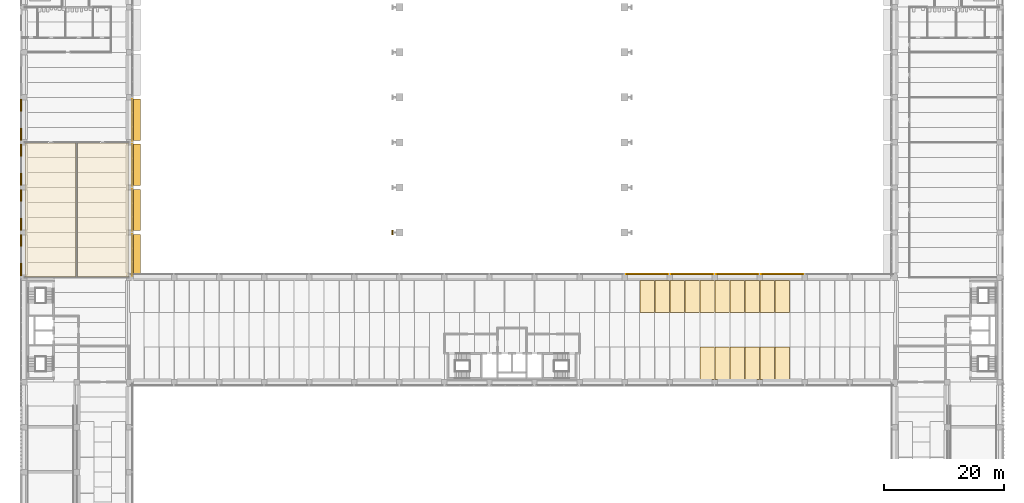
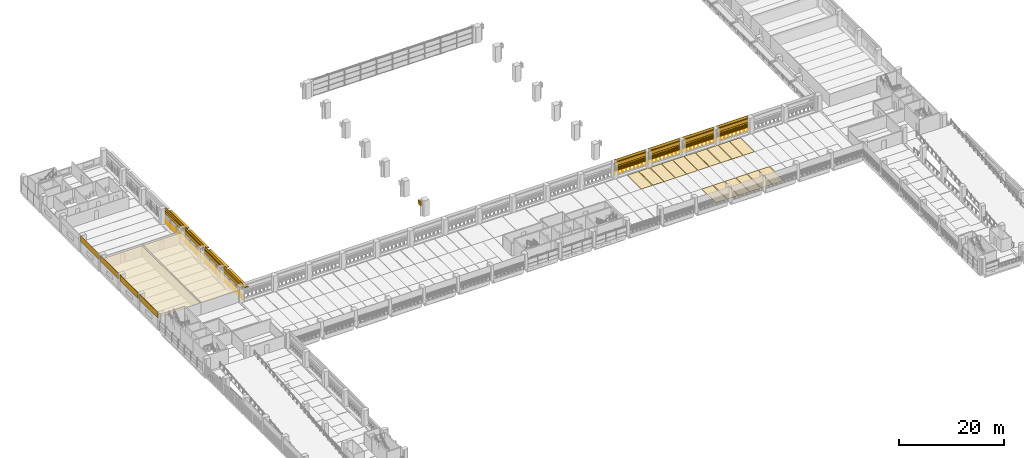
# One storey, part 43 of 57: 31 coverings, 24 shading devices, 8 railings.
"""IFC4 building model written with IfcOpenShell, lengths in metres."""

import ifcopenshell
import ifcopenshell.guid

model = None  # the IFC model being written
_history = None  # IfcOwnerHistory: only IFC2X3 demands one
_inside = {}  # id of a spatial element -> (the spatial element, [elements in it])
_under = {}  # id of a project, library or spatial element -> (it, [spatial elements below it])
_declared = {}  # id of a project -> (the project, [libraries it declares])
_typed = {}  # id of a type object -> (the type object, [elements of that type])
_made_of = {}  # id of a material, layer set ... -> (it, [elements and type objects made of it])


def new_model(schema):
    """Start an empty IFC model of exactly this schema.

    Asked for "IFC4X3", IfcOpenShell would pick the latest addendum, in which some entities
    have other attributes; the version numbers below select the first issue.
    IFC2X3 requires an IfcOwnerHistory on every rooted entity: one is made here for all.
    """
    global model, _history
    if schema == "IFC4X3":
        model = ifcopenshell.file(schema_version=(4, 3, 0, 0))
    else:
        model = ifcopenshell.file(schema=schema)
    _inside.clear()
    _under.clear()
    _declared.clear()
    _typed.clear()
    _made_of.clear()
    _history = None
    if model.schema == "IFC2X3":
        org = make("IfcOrganization", Name="unknown")
        user = make(
            "IfcPersonAndOrganization",
            ThePerson=make("IfcPerson", FamilyName="unknown"),
            TheOrganization=org,
        )
        app = make(
            "IfcApplication",
            ApplicationDeveloper=org,
            Version="unknown",
            ApplicationFullName="unknown",
            ApplicationIdentifier="unknown",
        )
        _history = make(
            "IfcOwnerHistory",
            OwningUser=user,
            OwningApplication=app,
            ChangeAction="ADDED",
            CreationDate=0,
        )
    return model


def make(cls, **values):
    """One entity of the class cls with the attributes given. An attribute that is None is left unset."""
    return model.create_entity(
        cls, **{name: value for name, value in values.items() if value is not None}
    )


def rooted(cls, **values):
    """An entity with a GlobalId (a new one), such as an element, a storey or a relation."""
    return make(cls, GlobalId=ifcopenshell.guid.new(), OwnerHistory=_history, **values)


def si_unit(unit_type, name, prefix=None):
    """IfcSIUnit, for example si_unit("LENGTHUNIT", "METRE", prefix="MILLI")."""
    return make("IfcSIUnit", UnitType=unit_type, Prefix=prefix, Name=name)


def assignment(units):
    """IfcUnitAssignment: the units of a project."""
    return None if units is None else make("IfcUnitAssignment", Units=units)


def point(xyz):
    """IfcCartesianPoint."""
    return None if xyz is None else make("IfcCartesianPoint", Coordinates=xyz)


def direction(xyz):
    """IfcDirection."""
    return None if xyz is None else make("IfcDirection", DirectionRatios=xyz)


def frame(location, z_axis=None, x_axis=None):
    """IfcAxis2Placement3D, a coordinate frame: its origin and axes. An axis left out is left unset."""
    return make(
        "IfcAxis2Placement3D",
        Location=point(location),
        Axis=direction(z_axis),
        RefDirection=direction(x_axis),
    )


def frame_2d(location, x_axis=None):
    """IfcAxis2Placement2D, a coordinate frame in the plane: its origin and x axis."""
    return make(
        "IfcAxis2Placement2D", Location=point(location), RefDirection=direction(x_axis)
    )


def origin():
    """The frame at (0, 0, 0) with its axes left unset."""
    return frame((0.0, 0.0, 0.0))


def origin_2d():
    """The frame at (0, 0) in the plane with its x axis left unset."""
    return frame_2d((0.0, 0.0))


def place(relative_to, where):
    """IfcLocalPlacement: puts the frame where relative to a parent placement (None: the world)."""
    return make(
        "IfcLocalPlacement", PlacementRelTo=relative_to, RelativePlacement=where
    )


def context(
    kind, dimensions, precision=None, world=None, true_north=None, identifier=None
):
    """IfcGeometricRepresentationContext, for example the 3D "Model" context."""
    return make(
        "IfcGeometricRepresentationContext",
        ContextIdentifier=identifier,
        ContextType=kind,
        CoordinateSpaceDimension=dimensions,
        Precision=precision,
        WorldCoordinateSystem=world,
        TrueNorth=true_north,
    )


def subcontext(parent, identifier, kind, view, scale=None):
    """IfcGeometricRepresentationSubContext, for example "Body" below "Model"."""
    return make(
        "IfcGeometricRepresentationSubContext",
        ContextIdentifier=identifier,
        ContextType=kind,
        ParentContext=parent,
        TargetScale=scale,
        TargetView=view,
    )


def project(units=None, contexts=None):
    """IfcProject with its units and contexts."""
    return rooted(
        "IfcProject",
        Name="project",
        RepresentationContexts=contexts,
        UnitsInContext=assignment(units),
    )


def spatial(cls, under=None, at=None, **own):
    """A site, building, storey or space (cls), placed at a placement, below another one or the project."""
    s = rooted(cls, ObjectPlacement=at, **own)
    if under is not None:
        _under.setdefault(under.id(), (under, []))[1].append(s)
    return s


def polyline(points):
    """IfcPolyline through the points."""
    return make("IfcPolyline", Points=[point(p) for p in points])


def profile(cls, at=None, kind="AREA", **sizes):
    """A parametric profile (cls). Its sizes go by their IFC names, for example OverallWidth=200.0."""
    return make(cls, ProfileType=kind, Position=at, **sizes)


def circle(**sizes):
    """IfcCircleProfileDef."""
    return profile("IfcCircleProfileDef", **sizes)


def outline(outer, holes=None, kind="AREA"):
    """IfcArbitraryClosedProfileDef: a profile drawn as a closed curve; with holes, ...WithVoids."""
    if holes is None:
        return make("IfcArbitraryClosedProfileDef", ProfileType=kind, OuterCurve=outer)
    return make(
        "IfcArbitraryProfileDefWithVoids",
        ProfileType=kind,
        OuterCurve=outer,
        InnerCurves=holes,
    )


def extrude(swept, where, along, depth):
    """IfcExtrudedAreaSolid: the profile swept, set in the frame where, extruded along a direction by depth."""
    return make(
        "IfcExtrudedAreaSolid",
        SweptArea=swept,
        Position=where,
        ExtrudedDirection=direction(along),
        Depth=depth,
    )


def shape(context_of_items, identifier, shape_type, items):
    """IfcShapeRepresentation: the items that make up one representation, for example the "Body"."""
    return make(
        "IfcShapeRepresentation",
        ContextOfItems=context_of_items,
        RepresentationIdentifier=identifier,
        RepresentationType=shape_type,
        Items=items,
    )


def material(Name=None, Category=None):
    """IfcMaterial."""
    return make("IfcMaterial", Name=Name, Category=Category)


def layer(
    of_material, thickness, ventilated=None, Name=None, Category=None, Priority=None
):
    """IfcMaterialLayer: one layer of a wall or slab, of a material (None: an air gap)."""
    return make(
        "IfcMaterialLayer",
        Material=of_material,
        LayerThickness=thickness,
        IsVentilated=ventilated,
        Name=Name,
        Category=Category,
        Priority=Priority,
    )


def layer_set(layers, Name=None):
    """IfcMaterialLayerSet."""
    return make("IfcMaterialLayerSet", MaterialLayers=layers, LayerSetName=Name)


def made_of(thing, what):
    """Note that an element or type object is made of a material, layer set ...; save() writes the relation."""
    if what is not None:
        _made_of.setdefault(what.id(), (what, []))[1].append(thing)
    return thing


def type_object(cls, material=None, **own):
    """A type object (cls), such as IfcWallType, which elements share."""
    return made_of(rooted(cls, **own), material)


def element(
    cls,
    number,
    at=None,
    inside=None,
    cuts=None,
    type_object=None,
    material=None,
    context=None,
    identifier="Body",
    shape_type=None,
    held_by="IfcProductDefinitionShape",
    body=None,
    shapes=None,
    **own,
):
    """One element of the class cls, such as IfcWall. Its Tag is "e" and its number.

    at: its placement. inside: the storey or other place that contains it. cuts: it is an
    opening in that element (IfcRelVoidsElement). A single representation is given by context,
    identifier, shape_type and body (its items); several are given by shapes. held_by: the class
    of the entity that holds the representations. save() writes the other relations.
    """
    e = rooted(cls, Tag="e%d" % number, ObjectPlacement=at, **own)
    if body is not None:
        shapes = [shape(context, identifier, shape_type, body)]
    if shapes is not None:
        e.Representation = make(held_by, Representations=shapes)
    if inside is not None:
        _inside.setdefault(inside.id(), (inside, []))[1].append(e)
    if cuts is not None:
        rooted(
            "IfcRelVoidsElement", RelatingBuildingElement=cuts, RelatedOpeningElement=e
        )
    if type_object is not None:
        _typed.setdefault(type_object.id(), (type_object, []))[1].append(e)
    return made_of(e, material)


def aggregate(whole, parts):
    """IfcRelAggregates: a whole, such as a stair, and the parts it consists of."""
    return rooted("IfcRelAggregates", RelatingObject=whole, RelatedObjects=parts)


def save(model, path):
    """Write the relations noted so far, then the file.

    IfcRelAggregates (storeys below a building ...), IfcRelContainedInSpatialStructure (elements
    in a storey), IfcRelDefinesByType, IfcRelAssociatesMaterial and IfcRelDeclares: one each for
    every whole, place, type object, material and project.
    """
    for whole, parts in _under.values():
        aggregate(whole, parts)
    for where, things in _inside.values():
        rooted(
            "IfcRelContainedInSpatialStructure",
            RelatedElements=things,
            RelatingStructure=where,
        )
    for kind, things in _typed.values():
        rooted("IfcRelDefinesByType", RelatedObjects=things, RelatingType=kind)
    for what, things in _made_of.values():
        rooted("IfcRelAssociatesMaterial", RelatedObjects=things, RelatingMaterial=what)
    for by, libraries in _declared.values():
        rooted("IfcRelDeclares", RelatingContext=by, RelatedDefinitions=libraries)
    model.write(path)


model = new_model("IFC4")

# Units and contexts
model_context = context("Model", 3, precision=1e-05, world=origin(), true_north=direction((0.0, 1.0)))
body_context = subcontext(model_context, "Body", "Model", "MODEL_VIEW")
ifc_project = project(units=[si_unit("LENGTHUNIT", "METRE"), si_unit("AREAUNIT", "SQUARE_METRE"), si_unit("VOLUMEUNIT", "CUBIC_METRE"), si_unit("PLANEANGLEUNIT", "RADIAN"), si_unit("MASSUNIT", "GRAM", prefix="KILO")], contexts=[model_context])

# Site, building, storey
site_placement = place(None, origin())
site = spatial("IfcSite", under=ifc_project, at=site_placement, CompositionType="ELEMENT")
building_placement = place(site_placement, origin())
building = spatial("IfcBuilding", under=site, at=building_placement, Name="Cour d'Honneur Mobility Palace", CompositionType="ELEMENT")
storey_placement = place(building_placement, frame((0.0, 0.0, 8.199951171875)))
storey = spatial("IfcBuildingStorey", under=building, at=storey_placement, Name="L02", CompositionType="ELEMENT", Elevation=8.199951171875)

# Railings
ifc_material_1 = material(Name="Painted steel", Category="steel")
railing_type = type_object("IfcRailingType", Name="Balustrade", PredefinedType="BALUSTRADE", material=ifc_material_1)
for number, where, name in (
    (1, (129.60009765625, 62.949951171875, 0.300048828125), "Balustrade BAL-107"),
    (2, (122.10009765625, 62.949951171875, 0.300048828125), "Balustrade BAL-108"),
    (3, (114.60009765625, 62.949951171875, 0.300048828125), "Balustrade BAL-109"),
    (4, (107.10009765625, 62.949951171875, 0.300048828125), "Balustrade BAL-110"),
):
    element("IfcRailing", number, at=place(storey_placement, frame(where)), inside=storey, type_object=railing_type, Name=name, PredefinedType="BALUSTRADE", context=body_context, shape_type="SweptSolid", body=[
        extrude(circle(Radius=0.02392578125, at=origin_2d()), frame((0.0, 0.0, 0.77587890625), z_axis=(-1.0, 0.0, 0.0), x_axis=(0.0, -1.0, 0.0)), (0.0, 0.0, 1.0), 6.900146484375),
        extrude(circle(Radius=0.02099609375, at=origin_2d()), origin(), (0.0, 0.0, 1.0), 0.751953125),
        extrude(circle(Radius=0.02099609375, at=origin_2d()), frame((-0.862548828125, 0.0, 0.0)), (0.0, 0.0, 1.0), 0.751953125),
        extrude(circle(Radius=0.02099609375, at=origin_2d()), frame((-1.72509765625, 0.0, 0.0)), (0.0, 0.0, 1.0), 0.751953125),
        extrude(circle(Radius=0.02099609375, at=origin_2d()), frame((-2.587646484375, 0.0, 0.0)), (0.0, 0.0, 1.0), 0.751953125),
        extrude(circle(Radius=0.02099609375, at=origin_2d()), frame((-3.4501953125, 0.0, 0.0)), (0.0, 0.0, 1.0), 0.751953125),
        extrude(circle(Radius=0.02099609375, at=origin_2d()), frame((-4.3125, 0.0, 0.0)), (0.0, 0.0, 1.0), 0.751953125),
        extrude(circle(Radius=0.02099609375, at=origin_2d()), frame((-5.175048828125, 0.0, 0.0)), (0.0, 0.0, 1.0), 0.751953125),
        extrude(circle(Radius=0.02099609375, at=origin_2d()), frame((-6.03759765625, 0.0, 0.0)), (0.0, 0.0, 1.0), 0.751953125),
        extrude(circle(Radius=0.02099609375, at=origin_2d()), frame((-6.900146484375, 0.0, 0.0)), (0.0, 0.0, 1.0), 0.751953125),
    ])
for number, where, name in (
    (5, (17.949951171875, 62.699951171875, 0.300048828125), "Balustrade BAL-122"),
    (6, (17.949951171875, 70.199951171875, 0.300048828125), "Balustrade BAL-123"),
    (7, (17.949951171875, 77.699951171875, 0.300048828125), "Balustrade BAL-124"),
    (8, (17.949951171875, 85.199951171875, 0.300048828125), "Balustrade BAL-125"),
):
    element("IfcRailing", number, at=place(storey_placement, frame(where)), inside=storey, type_object=railing_type, Name=name, PredefinedType="BALUSTRADE", context=body_context, shape_type="SweptSolid", body=[
        extrude(circle(Radius=0.02392578125, at=origin_2d()), frame((0.0, 0.0, 0.77587890625), z_axis=(0.0, 1.0, 0.0), x_axis=(-1.0, 0.0, 0.0)), (0.0, 0.0, 1.0), 6.900146484375),
        extrude(circle(Radius=0.02099609375, at=origin_2d()), origin(), (0.0, 0.0, 1.0), 0.751953125),
        extrude(circle(Radius=0.02099609375, at=origin_2d()), frame((0.0, 0.862548828125, 0.0)), (0.0, 0.0, 1.0), 0.751953125),
        extrude(circle(Radius=0.02099609375, at=origin_2d()), frame((0.0, 1.72509765625, 0.0)), (0.0, 0.0, 1.0), 0.751953125),
        extrude(circle(Radius=0.02099609375, at=origin_2d()), frame((0.0, 2.587646484375, 0.0)), (0.0, 0.0, 1.0), 0.751953125),
        extrude(circle(Radius=0.02099609375, at=origin_2d()), frame((0.0, 3.4501953125, 0.0)), (0.0, 0.0, 1.0), 0.751953125),
        extrude(circle(Radius=0.02099609375, at=origin_2d()), frame((0.0, 4.3125, 0.0)), (0.0, 0.0, 1.0), 0.751953125),
        extrude(circle(Radius=0.02099609375, at=origin_2d()), frame((0.0, 5.175048828125, 0.0)), (0.0, 0.0, 1.0), 0.751953125),
        extrude(circle(Radius=0.02099609375, at=origin_2d()), frame((0.0, 6.03759765625, 0.0)), (0.0, 0.0, 1.0), 0.751953125),
        extrude(circle(Radius=0.02099609375, at=origin_2d()), frame((0.0, 6.900146484375, 0.0)), (0.0, 0.0, 1.0), 0.751953125),
    ])

# Coverings
ifc_material_2 = material(Name="Parking marking paint")
ifc_layer_1 = layer(ifc_material_2, 0.0048828125)
ifc_layer_set_1 = layer_set([ifc_layer_1], Name="Parking marking paint")
covering_type_1 = type_object("IfcCoveringType", Name="Parking bay marking", PredefinedType="FLOORING", material=ifc_layer_set_1)
covering_1_placement = place(storey_placement, origin())
element("IfcCovering", 9, at=covering_1_placement, inside=storey, type_object=covering_type_1, Name="Parking bay marking L02 17", PredefinedType="FLOORING", context=body_context, shape_type="SweptSolid", body=[
    extrude(outline(polyline([(104.85009765625, 56.550048828125), (102.449951171875, 56.550048828125), (102.449951171875, 61.949951171875), (104.85009765625, 61.949951171875), (104.85009765625, 56.550048828125)])), origin(), (0.0, 0.0, 1.0), 0.005126953125),
])
covering_2_placement = place(storey_placement, origin())
element("IfcCovering", 10, at=covering_2_placement, inside=storey, type_object=covering_type_1, Name="Parking bay marking L02 18", PredefinedType="FLOORING", context=body_context, shape_type="SweptSolid", body=[
    extrude(outline(polyline([(107.35009765625, 56.550048828125), (104.949951171875, 56.550048828125), (104.949951171875, 61.949951171875), (107.35009765625, 61.949951171875), (107.35009765625, 56.550048828125)])), origin(), (0.0, 0.0, 1.0), 0.005126953125),
])
covering_3_placement = place(storey_placement, origin())
element("IfcCovering", 11, at=covering_3_placement, inside=storey, type_object=covering_type_1, Name="Parking bay marking L02 19", PredefinedType="FLOORING", context=body_context, shape_type="SweptSolid", body=[
    extrude(outline(polyline([(109.85009765625, 56.550048828125), (107.449951171875, 56.550048828125), (107.449951171875, 61.949951171875), (109.85009765625, 61.949951171875), (109.85009765625, 56.550048828125)])), origin(), (0.0, 0.0, 1.0), 0.005126953125),
])
covering_4_placement = place(storey_placement, origin())
element("IfcCovering", 12, at=covering_4_placement, inside=storey, type_object=covering_type_1, Name="Parking bay marking L02 20", PredefinedType="FLOORING", context=body_context, shape_type="SweptSolid", body=[
    extrude(outline(polyline([(112.35009765625, 56.550048828125), (109.949951171875, 56.550048828125), (109.949951171875, 61.949951171875), (112.35009765625, 61.949951171875), (112.35009765625, 56.550048828125)])), origin(), (0.0, 0.0, 1.0), 0.005126953125),
])
covering_5_placement = place(storey_placement, origin())
element("IfcCovering", 13, at=covering_5_placement, inside=storey, type_object=covering_type_1, Name="Parking bay marking L02 21", PredefinedType="FLOORING", context=body_context, shape_type="SweptSolid", body=[
    extrude(outline(polyline([(114.85009765625, 56.550048828125), (112.449951171875, 56.550048828125), (112.449951171875, 61.949951171875), (114.85009765625, 61.949951171875), (114.85009765625, 56.550048828125)])), origin(), (0.0, 0.0, 1.0), 0.005126953125),
])
covering_6_placement = place(storey_placement, origin())
element("IfcCovering", 14, at=covering_6_placement, inside=storey, type_object=covering_type_1, Name="Parking bay marking L02 23", PredefinedType="FLOORING", context=body_context, shape_type="SweptSolid", body=[
    extrude(outline(polyline([(117.35009765625, 56.550048828125), (114.949951171875, 56.550048828125), (114.949951171875, 61.949951171875), (117.35009765625, 61.949951171875), (117.35009765625, 56.550048828125)])), origin(), (0.0, 0.0, 1.0), 0.005126953125),
])
covering_7_placement = place(storey_placement, origin())
element("IfcCovering", 15, at=covering_7_placement, inside=storey, type_object=covering_type_1, Name="Parking bay marking L02 24", PredefinedType="FLOORING", context=body_context, shape_type="SweptSolid", body=[
    extrude(outline(polyline([(119.85009765625, 56.550048828125), (117.449951171875, 56.550048828125), (117.449951171875, 61.949951171875), (119.85009765625, 61.949951171875), (119.85009765625, 56.550048828125)])), origin(), (0.0, 0.0, 1.0), 0.005126953125),
])
covering_8_placement = place(storey_placement, origin())
element("IfcCovering", 16, at=covering_8_placement, inside=storey, type_object=covering_type_1, Name="Parking bay marking L02 25", PredefinedType="FLOORING", context=body_context, shape_type="SweptSolid", body=[
    extrude(outline(polyline([(122.35009765625, 56.550048828125), (119.949951171875, 56.550048828125), (119.949951171875, 61.949951171875), (122.35009765625, 61.949951171875), (122.35009765625, 56.550048828125)])), origin(), (0.0, 0.0, 1.0), 0.005126953125),
])
covering_9_placement = place(storey_placement, origin())
element("IfcCovering", 17, at=covering_9_placement, inside=storey, type_object=covering_type_1, Name="Parking bay marking L02 26", PredefinedType="FLOORING", context=body_context, shape_type="SweptSolid", body=[
    extrude(outline(polyline([(124.85009765625, 56.550048828125), (122.449951171875, 56.550048828125), (122.449951171875, 61.949951171875), (124.85009765625, 61.949951171875), (124.85009765625, 56.550048828125)])), origin(), (0.0, 0.0, 1.0), 0.005126953125),
])
covering_10_placement = place(storey_placement, origin())
element("IfcCovering", 18, at=covering_10_placement, inside=storey, type_object=covering_type_1, Name="Parking bay marking L02 27", PredefinedType="FLOORING", context=body_context, shape_type="SweptSolid", body=[
    extrude(outline(polyline([(127.35009765625, 56.550048828125), (124.949951171875, 56.550048828125), (124.949951171875, 61.949951171875), (127.35009765625, 61.949951171875), (127.35009765625, 56.550048828125)])), origin(), (0.0, 0.0, 1.0), 0.005126953125),
])
covering_11_placement = place(storey_placement, origin())
element("IfcCovering", 19, at=covering_11_placement, inside=storey, type_object=covering_type_1, Name="Parking bay marking L02 60", PredefinedType="FLOORING", context=body_context, shape_type="SweptSolid", body=[
    extrude(outline(polyline([(114.85009765625, 45.449951171875), (112.449951171875, 45.449951171875), (112.449951171875, 50.85009765625), (114.85009765625, 50.85009765625), (114.85009765625, 45.449951171875)])), origin(), (0.0, 0.0, 1.0), 0.005126953125),
])
covering_12_placement = place(storey_placement, origin())
element("IfcCovering", 20, at=covering_12_placement, inside=storey, type_object=covering_type_1, Name="Parking bay marking L02 62", PredefinedType="FLOORING", context=body_context, shape_type="SweptSolid", body=[
    extrude(outline(polyline([(117.35009765625, 45.449951171875), (114.949951171875, 45.449951171875), (114.949951171875, 50.85009765625), (117.35009765625, 50.85009765625), (117.35009765625, 45.449951171875)])), origin(), (0.0, 0.0, 1.0), 0.005126953125),
])
covering_13_placement = place(storey_placement, origin())
element("IfcCovering", 21, at=covering_13_placement, inside=storey, type_object=covering_type_1, Name="Parking bay marking L02 63", PredefinedType="FLOORING", context=body_context, shape_type="SweptSolid", body=[
    extrude(outline(polyline([(119.85009765625, 45.449951171875), (117.449951171875, 45.449951171875), (117.449951171875, 50.85009765625), (119.85009765625, 50.85009765625), (119.85009765625, 45.449951171875)])), origin(), (0.0, 0.0, 1.0), 0.005126953125),
])
covering_14_placement = place(storey_placement, origin())
element("IfcCovering", 22, at=covering_14_placement, inside=storey, type_object=covering_type_1, Name="Parking bay marking L02 64", PredefinedType="FLOORING", context=body_context, shape_type="SweptSolid", body=[
    extrude(outline(polyline([(122.35009765625, 45.449951171875), (119.949951171875, 45.449951171875), (119.949951171875, 50.85009765625), (122.35009765625, 50.85009765625), (122.35009765625, 45.449951171875)])), origin(), (0.0, 0.0, 1.0), 0.005126953125),
])
covering_15_placement = place(storey_placement, origin())
element("IfcCovering", 23, at=covering_15_placement, inside=storey, type_object=covering_type_1, Name="Parking bay marking L02 65", PredefinedType="FLOORING", context=body_context, shape_type="SweptSolid", body=[
    extrude(outline(polyline([(124.85009765625, 45.449951171875), (122.449951171875, 45.449951171875), (122.449951171875, 50.85009765625), (124.85009765625, 50.85009765625), (124.85009765625, 45.449951171875)])), origin(), (0.0, 0.0, 1.0), 0.005126953125),
])
covering_16_placement = place(storey_placement, origin())
element("IfcCovering", 24, at=covering_16_placement, inside=storey, type_object=covering_type_1, Name="Parking bay marking L02 66", PredefinedType="FLOORING", context=body_context, shape_type="SweptSolid", body=[
    extrude(outline(polyline([(127.35009765625, 45.449951171875), (124.949951171875, 45.449951171875), (124.949951171875, 50.85009765625), (127.35009765625, 50.85009765625), (127.35009765625, 45.449951171875)])), origin(), (0.0, 0.0, 1.0), 0.005126953125),
])
ifc_material_3 = material(Name="Cast limestone", Category="masonry")
ifc_layer_2 = layer(ifc_material_3, 0.1201171875)
ifc_layer_set_2 = layer_set([ifc_layer_2], Name="Cast limestone")
covering_type_2 = type_object("IfcCoveringType", Name="Pilaster capital", PredefinedType="CLADDING", material=ifc_layer_set_2)
covering_17_placement = place(storey_placement, frame((0.0, 0.0, 2.699951171875)))
element("IfcCovering", 25, at=covering_17_placement, inside=storey, type_object=covering_type_2, Name="Hall pilaster capital HP-W2", PredefinedType="CLADDING", context=body_context, shape_type="SweptSolid", body=[
    extrude(outline(polyline([(61.10009765625, 69.5), (61.35009765625, 69.5), (61.35009765625, 70.300048828125), (61.10009765625, 70.300048828125), (61.10009765625, 69.5)])), origin(), (0.0, 0.0, 1.0), 1.0),
])
ifc_material_4 = material(Name="Cast limestone", Category="masonry")
ifc_layer_3 = layer(ifc_material_4, 0.25)
ifc_layer_set_3 = layer_set([ifc_layer_3], Name="Cast limestone")
covering_type_3 = type_object("IfcCoveringType", Name="Spandrel cladding", PredefinedType="CLADDING", material=ifc_layer_set_3)
for number, where, z_axis, x_axis, name in (
    (26, (129.60009765625, 62.85009765625, 2.300048828125), (1.0, 0.0, 0.0), (0.0, 1.0, 0.0), "Spandrel cladding SK-178"),
    (27, (122.10009765625, 62.85009765625, 2.300048828125), (1.0, 0.0, 0.0), (0.0, 1.0, 0.0), "Spandrel cladding SK-179"),
    (28, (114.60009765625, 62.85009765625, 2.300048828125), (1.0, 0.0, 0.0), (0.0, 1.0, 0.0), "Spandrel cladding SK-180"),
    (29, (107.10009765625, 62.85009765625, 2.300048828125), (1.0, 0.0, 0.0), (0.0, 1.0, 0.0), "Spandrel cladding SK-181"),
    (30, (17.85009765625, 62.699951171875, 2.300048828125), (0.0, -1.0, 0.0), (1.0, 0.0, 0.0), "Spandrel cladding SK-193"),
    (31, (17.85009765625, 70.199951171875, 2.300048828125), (0.0, -1.0, 0.0), (1.0, 0.0, 0.0), "Spandrel cladding SK-194"),
    (32, (17.85009765625, 77.699951171875, 2.300048828125), (0.0, -1.0, 0.0), (1.0, 0.0, 0.0), "Spandrel cladding SK-195"),
    (33, (17.85009765625, 85.199951171875, 2.300048828125), (0.0, -1.0, 0.0), (1.0, 0.0, 0.0), "Spandrel cladding SK-196"),
    (34, (-0.449951171875, 92.10009765625, 2.300048828125), (0.0, 1.0, 0.0), (-1.0, 0.0, 0.0), "Spandrel cladding SK-201"),
    (35, (-0.449951171875, 84.60009765625, 2.300048828125), (0.0, 1.0, 0.0), (-1.0, 0.0, 0.0), "Spandrel cladding SK-202"),
    (36, (-0.449951171875, 77.10009765625, 2.300048828125), (0.0, 1.0, 0.0), (-1.0, 0.0, 0.0), "Spandrel cladding SK-203"),
    (37, (-0.449951171875, 69.60009765625, 2.300048828125), (0.0, 1.0, 0.0), (-1.0, 0.0, 0.0), "Spandrel cladding SK-204"),
):
    element("IfcCovering", number, at=place(storey_placement, frame(where, z_axis=z_axis, x_axis=x_axis)), inside=storey, type_object=covering_type_3, Name=name, PredefinedType="CLADDING", context=body_context, shape_type="SweptSolid", body=[
        extrude(outline(polyline([(0.0, 0.0), (0.25, 0.0), (0.25, 1.39990234375), (0.199951171875, 1.39990234375), (0.199951171875, 0.800048828125), (0.0, 0.800048828125), (0.0, 0.0)])), origin(), (0.0, 0.0, -1.0), 6.89990234375),
    ])

# Shading devices
ifc_material_5 = material(Name="Anodised aluminium", Category="aluminium")
ifc_layer_4 = layer(ifc_material_5, 0.1201171875)
ifc_layer_set_4 = layer_set([ifc_layer_4], Name="Anodised aluminium")
shading_device_type_1 = type_object("IfcShadingDeviceType", Name="Sunshade 1200", PredefinedType="AWNING", material=ifc_layer_set_4)
shading_device_1_placement = place(storey_placement, frame((0.0, 0.0, 2.630126953125)))
element("IfcShadingDevice", 38, at=shading_device_1_placement, inside=storey, type_object=shading_device_type_1, Name="Sunshade E9.0 L02", PredefinedType="AWNING", context=body_context, shape_type="SweptSolid", body=[
    extrude(outline(polyline([(18.10009765625, 62.699951171875), (18.10009765625, 69.60009765625), (19.300048828125, 69.60009765625), (19.300048828125, 62.699951171875), (18.10009765625, 62.699951171875)])), origin(), (0.0, 0.0, 1.0), 0.119873046875),
])
shading_device_2_placement = place(storey_placement, frame((0.0, 0.0, 2.630126953125)))
element("IfcShadingDevice", 39, at=shading_device_2_placement, inside=storey, type_object=shading_device_type_1, Name="Sunshade E9.1 L02", PredefinedType="AWNING", context=body_context, shape_type="SweptSolid", body=[
    extrude(outline(polyline([(18.10009765625, 70.199951171875), (18.10009765625, 77.10009765625), (19.300048828125, 77.10009765625), (19.300048828125, 70.199951171875), (18.10009765625, 70.199951171875)])), origin(), (0.0, 0.0, 1.0), 0.119873046875),
])
shading_device_3_placement = place(storey_placement, frame((0.0, 0.0, 2.630126953125)))
element("IfcShadingDevice", 40, at=shading_device_3_placement, inside=storey, type_object=shading_device_type_1, Name="Sunshade E9.2 L02", PredefinedType="AWNING", context=body_context, shape_type="SweptSolid", body=[
    extrude(outline(polyline([(18.10009765625, 77.699951171875), (18.10009765625, 84.60009765625), (19.300048828125, 84.60009765625), (19.300048828125, 77.699951171875), (18.10009765625, 77.699951171875)])), origin(), (0.0, 0.0, 1.0), 0.119873046875),
])
shading_device_4_placement = place(storey_placement, frame((0.0, 0.0, 2.630126953125)))
element("IfcShadingDevice", 41, at=shading_device_4_placement, inside=storey, type_object=shading_device_type_1, Name="Sunshade E9.3 L02", PredefinedType="AWNING", context=body_context, shape_type="SweptSolid", body=[
    extrude(outline(polyline([(18.10009765625, 85.199951171875), (18.10009765625, 92.10009765625), (19.300048828125, 92.10009765625), (19.300048828125, 85.199951171875), (18.10009765625, 85.199951171875)])), origin(), (0.0, 0.0, 1.0), 0.119873046875),
])

# Coverings
ifc_material_6 = material(Name="Suspended ceiling")
ifc_layer_5 = layer(ifc_material_6, 0.030029296875)
ifc_layer_set_5 = layer_set([ifc_layer_5], Name="Suspended ceiling")
covering_type_4 = type_object("IfcCoveringType", Name="Suspended ceiling", PredefinedType="CEILING", material=ifc_layer_set_5)
covering_18_placement = place(storey_placement, frame((0.0, 0.0, 2.550048828125)))
element("IfcCovering", 42, at=covering_18_placement, inside=storey, type_object=covering_type_4, Name="Ceiling Cycle Training Room", PredefinedType="CEILING", context=body_context, shape_type="SweptSolid", body=[
    extrude(outline(polyline([(8.580078125, 62.52001953125), (0.1201171875, 62.52001953125), (0.1201171875, 84.780029296875), (8.580078125, 84.780029296875), (8.580078125, 62.52001953125)])), origin(), (0.0, 0.0, 1.0), 0.030029296875),
])
covering_19_placement = place(storey_placement, frame((0.0, 0.0, 2.550048828125)))
element("IfcCovering", 43, at=covering_19_placement, inside=storey, type_object=covering_type_4, Name="Ceiling Bicycle Workshop Classroom", PredefinedType="CEILING", context=body_context, shape_type="SweptSolid", body=[
    extrude(outline(polyline([(17.280029296875, 62.52001953125), (8.820068359375, 62.52001953125), (8.820068359375, 84.780029296875), (17.280029296875, 84.780029296875), (17.280029296875, 62.52001953125)])), origin(), (0.0, 0.0, 1.0), 0.030029296875),
])

# Shading devices
ifc_material_7 = material(Name="Terracotta", Category="masonry")
ifc_layer_6 = layer(ifc_material_7, 0.02490234375)
ifc_layer_set_6 = layer_set([ifc_layer_6], Name="Terracotta")
shading_device_type_2 = type_object("IfcShadingDeviceType", Name="Terracotta louvre blade", PredefinedType="JALOUSIE", material=ifc_layer_set_6)
for number, where, z_axis, x_axis, name in (
    (44, (129.60009765625, 62.843994140625, 1.10009765625), (0.0, -0.707106781187, 0.707106781187), (-1.0, 0.0, 0.0), "Louvre blade LV-1 N8.2 L02 1"),
    (45, (129.60009765625, 62.843994140625, 1.312255859375), (0.0, -0.707106781187, 0.707106781187), (-1.0, 0.0, 0.0), "Louvre blade LV-1 N8.2 L02 2"),
):
    element("IfcShadingDevice", number, at=place(storey_placement, frame(where, z_axis=z_axis, x_axis=x_axis)), inside=storey, type_object=shading_device_type_2, Name=name, PredefinedType="JALOUSIE", context=body_context, shape_type="SweptSolid", body=[
        extrude(outline(polyline([(0.0, 0.0), (6.900146484375, 0.0), (6.900146484375, -0.300037008228081), (0.0, -0.300037008228081), (0.0, 0.0)])), origin(), (0.0, 0.0, -1.0), 0.02490234375),
    ])
shading_device_5_placement = place(storey_placement, frame((129.60009765625, 62.843994140625, 1.5244140625), z_axis=(0.0, -0.706699578995, 0.707513749017), x_axis=(-1.0, 0.0, 0.0)))
element("IfcShadingDevice", 46, at=shading_device_5_placement, inside=storey, type_object=shading_device_type_2, Name="Louvre blade LV-1 N8.2 L02 3", PredefinedType="JALOUSIE", context=body_context, shape_type="SweptSolid", body=[
    extrude(outline(polyline([(0.0, 0.0), (6.900146484375, 0.0), (6.900146484375, -0.29986442442957895), (0.0, -0.29986442442957895), (0.0, 0.0)])), origin(), (0.0, 0.0, -1.0), 0.02490234375),
])
for number, where, z_axis, x_axis, name in (
    (47, (129.60009765625, 62.843994140625, 1.736328125), (0.0, -0.707106781187, 0.707106781187), (-1.0, 0.0, 0.0), "Louvre blade LV-1 N8.2 L02 4"),
    (48, (129.60009765625, 62.843994140625, 1.948486328125), (0.0, -0.707106781187, 0.707106781187), (-1.0, 0.0, 0.0), "Louvre blade LV-1 N8.2 L02 5"),
    (49, (122.10009765625, 62.843994140625, 1.10009765625), (0.0, -0.707106781187, 0.707106781187), (-1.0, 0.0, 0.0), "Louvre blade LV-1 N8.3 L02 1"),
    (50, (122.10009765625, 62.843994140625, 1.312255859375), (0.0, -0.707106781187, 0.707106781187), (-1.0, 0.0, 0.0), "Louvre blade LV-1 N8.3 L02 2"),
):
    element("IfcShadingDevice", number, at=place(storey_placement, frame(where, z_axis=z_axis, x_axis=x_axis)), inside=storey, type_object=shading_device_type_2, Name=name, PredefinedType="JALOUSIE", context=body_context, shape_type="SweptSolid", body=[
        extrude(outline(polyline([(0.0, 0.0), (6.900146484375, 0.0), (6.900146484375, -0.300037008228081), (0.0, -0.300037008228081), (0.0, 0.0)])), origin(), (0.0, 0.0, -1.0), 0.02490234375),
    ])
shading_device_6_placement = place(storey_placement, frame((122.10009765625, 62.843994140625, 1.5244140625), z_axis=(0.0, -0.706699578995, 0.707513749017), x_axis=(-1.0, 0.0, 0.0)))
element("IfcShadingDevice", 51, at=shading_device_6_placement, inside=storey, type_object=shading_device_type_2, Name="Louvre blade LV-1 N8.3 L02 3", PredefinedType="JALOUSIE", context=body_context, shape_type="SweptSolid", body=[
    extrude(outline(polyline([(0.0, 0.0), (6.900146484375, 0.0), (6.900146484375, -0.29986442442957895), (0.0, -0.29986442442957895), (0.0, 0.0)])), origin(), (0.0, 0.0, -1.0), 0.02490234375),
])
for number, where, z_axis, x_axis, name in (
    (52, (122.10009765625, 62.843994140625, 1.736328125), (0.0, -0.707106781187, 0.707106781187), (-1.0, 0.0, 0.0), "Louvre blade LV-1 N8.3 L02 4"),
    (53, (122.10009765625, 62.843994140625, 1.948486328125), (0.0, -0.707106781187, 0.707106781187), (-1.0, 0.0, 0.0), "Louvre blade LV-1 N8.3 L02 5"),
    (54, (114.60009765625, 62.843994140625, 1.10009765625), (0.0, -0.707106781187, 0.707106781187), (-1.0, 0.0, 0.0), "Louvre blade LV-1 N8.4 L02 1"),
    (55, (114.60009765625, 62.843994140625, 1.312255859375), (0.0, -0.707106781187, 0.707106781187), (-1.0, 0.0, 0.0), "Louvre blade LV-1 N8.4 L02 2"),
):
    element("IfcShadingDevice", number, at=place(storey_placement, frame(where, z_axis=z_axis, x_axis=x_axis)), inside=storey, type_object=shading_device_type_2, Name=name, PredefinedType="JALOUSIE", context=body_context, shape_type="SweptSolid", body=[
        extrude(outline(polyline([(0.0, 0.0), (6.900146484375, 0.0), (6.900146484375, -0.300037008228081), (0.0, -0.300037008228081), (0.0, 0.0)])), origin(), (0.0, 0.0, -1.0), 0.02490234375),
    ])
shading_device_7_placement = place(storey_placement, frame((114.60009765625, 62.843994140625, 1.5244140625), z_axis=(0.0, -0.706699578995, 0.707513749017), x_axis=(-1.0, 0.0, 0.0)))
element("IfcShadingDevice", 56, at=shading_device_7_placement, inside=storey, type_object=shading_device_type_2, Name="Louvre blade LV-1 N8.4 L02 3", PredefinedType="JALOUSIE", context=body_context, shape_type="SweptSolid", body=[
    extrude(outline(polyline([(0.0, 0.0), (6.900146484375, 0.0), (6.900146484375, -0.29986442442957895), (0.0, -0.29986442442957895), (0.0, 0.0)])), origin(), (0.0, 0.0, -1.0), 0.02490234375),
])
for number, where, z_axis, x_axis, name in (
    (57, (114.60009765625, 62.843994140625, 1.736328125), (0.0, -0.707106781187, 0.707106781187), (-1.0, 0.0, 0.0), "Louvre blade LV-1 N8.4 L02 4"),
    (58, (114.60009765625, 62.843994140625, 1.948486328125), (0.0, -0.707106781187, 0.707106781187), (-1.0, 0.0, 0.0), "Louvre blade LV-1 N8.4 L02 5"),
    (59, (107.10009765625, 62.843994140625, 1.10009765625), (0.0, -0.707106781187, 0.707106781187), (-1.0, 0.0, 0.0), "Louvre blade LV-1 N8.5 L02 1"),
    (60, (107.10009765625, 62.843994140625, 1.312255859375), (0.0, -0.707106781187, 0.707106781187), (-1.0, 0.0, 0.0), "Louvre blade LV-1 N8.5 L02 2"),
):
    element("IfcShadingDevice", number, at=place(storey_placement, frame(where, z_axis=z_axis, x_axis=x_axis)), inside=storey, type_object=shading_device_type_2, Name=name, PredefinedType="JALOUSIE", context=body_context, shape_type="SweptSolid", body=[
        extrude(outline(polyline([(0.0, 0.0), (6.900146484375, 0.0), (6.900146484375, -0.300037008228081), (0.0, -0.300037008228081), (0.0, 0.0)])), origin(), (0.0, 0.0, -1.0), 0.02490234375),
    ])
shading_device_8_placement = place(storey_placement, frame((107.10009765625, 62.843994140625, 1.5244140625), z_axis=(0.0, -0.706699578995, 0.707513749017), x_axis=(-1.0, 0.0, 0.0)))
element("IfcShadingDevice", 61, at=shading_device_8_placement, inside=storey, type_object=shading_device_type_2, Name="Louvre blade LV-1 N8.5 L02 3", PredefinedType="JALOUSIE", context=body_context, shape_type="SweptSolid", body=[
    extrude(outline(polyline([(0.0, 0.0), (6.900146484375, 0.0), (6.900146484375, -0.29986442442957895), (0.0, -0.29986442442957895), (0.0, 0.0)])), origin(), (0.0, 0.0, -1.0), 0.02490234375),
])
for number, where, z_axis, x_axis, name in (
    (62, (107.10009765625, 62.843994140625, 1.736328125), (0.0, -0.707106781187, 0.707106781187), (-1.0, 0.0, 0.0), "Louvre blade LV-1 N8.5 L02 4"),
    (63, (107.10009765625, 62.843994140625, 1.948486328125), (0.0, -0.707106781187, 0.707106781187), (-1.0, 0.0, 0.0), "Louvre blade LV-1 N8.5 L02 5"),
):
    element("IfcShadingDevice", number, at=place(storey_placement, frame(where, z_axis=z_axis, x_axis=x_axis)), inside=storey, type_object=shading_device_type_2, Name=name, PredefinedType="JALOUSIE", context=body_context, shape_type="SweptSolid", body=[
        extrude(outline(polyline([(0.0, 0.0), (6.900146484375, 0.0), (6.900146484375, -0.300037008228081), (0.0, -0.300037008228081), (0.0, 0.0)])), origin(), (0.0, 0.0, -1.0), 0.02490234375),
    ])

save(model, "model.ifc")
